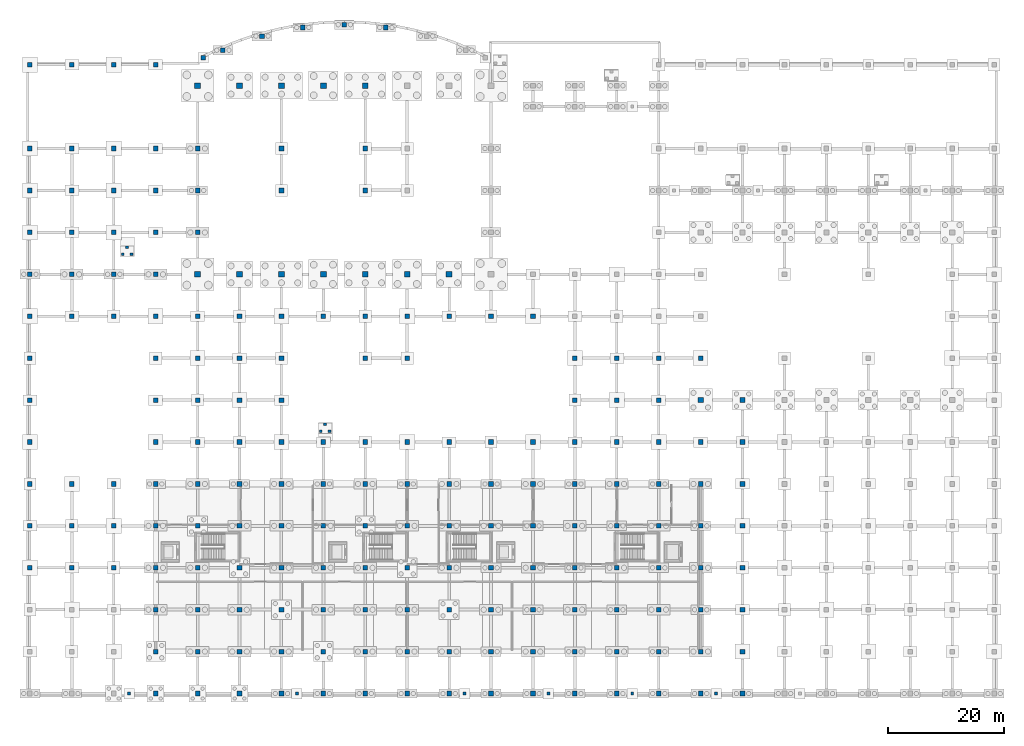
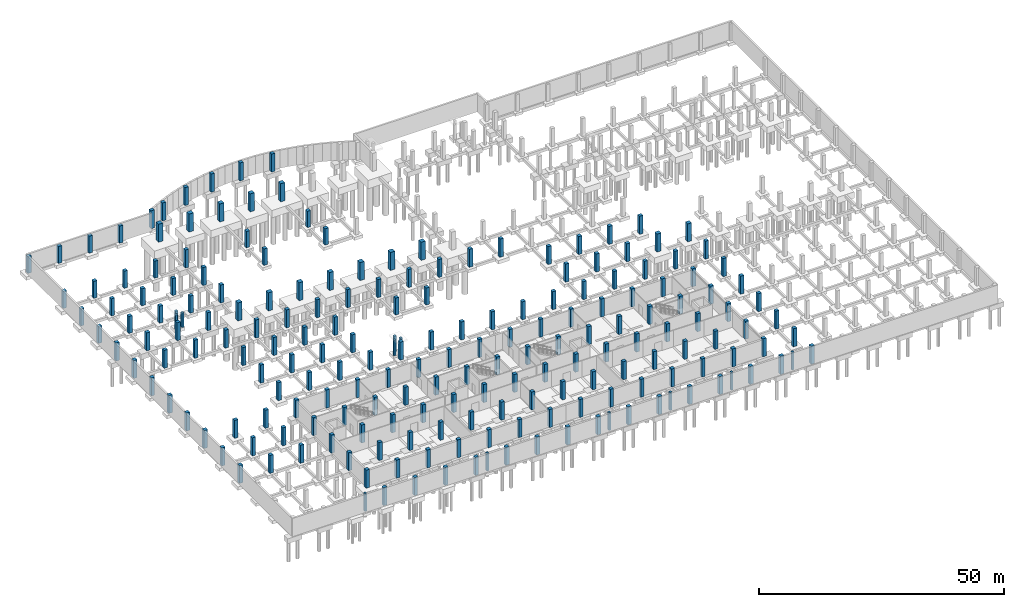
# One storey, part 15 of 22: 206 columns.
"""IFC4 building model written with IfcOpenShell, lengths in metres."""

from ifc_helpers import new_model, si_unit, direction, frame, origin, origin_2d, place, context, subcontext, project, spatial, rectangle, extrude, material, material_profile, profile_set, type_object, element, save


model = new_model("IFC4")

# Units and contexts
model_context = context("Model", 3, precision=1e-05, world=origin(), true_north=direction((0.0, 1.0)))
body_context = subcontext(model_context, "Body", "Model", "MODEL_VIEW")
ifc_project = project(units=[si_unit("LENGTHUNIT", "METRE"), si_unit("AREAUNIT", "SQUARE_METRE"), si_unit("VOLUMEUNIT", "CUBIC_METRE"), si_unit("PLANEANGLEUNIT", "RADIAN"), si_unit("MASSUNIT", "GRAM", prefix="KILO")], contexts=[model_context])

# Site, building, storey
site_placement = place(None, origin())
site = spatial("IfcSite", under=ifc_project, at=site_placement, CompositionType="ELEMENT")
building_placement = place(site_placement, origin())
building = spatial("IfcBuilding", under=site, at=building_placement, Name="Sardonyx Promenade Sports Hall", CompositionType="ELEMENT")
storey_placement = place(building_placement, frame((0.0, 0.0, -4.5)))
storey = spatial("IfcBuildingStorey", under=building, at=storey_placement, Name="B1", CompositionType="ELEMENT", Elevation=-4.5)

# Columns
ifc_material_1 = material(Name="Concrete C50/60", Category="concrete")
ifc_material_profile_1 = material_profile(ifc_material_1, rectangle(XDim=1.0, YDim=1.0, at=origin_2d()))
ifc_profile_set_1 = profile_set([ifc_material_profile_1], Name="Concrete C50/60")
column_type_1 = type_object("IfcColumnType", Name="Col_Int_RC1000", PredefinedType="COLUMN", material=ifc_profile_set_1)
for number, where, z_axis, x_axis, name in (
    (1, (28.800048828125, 72.0, 0.0), (0.0, 0.0, 1.0), (1.0, 0.0, 0.0), "Column CI05 B1 (28.8,72.0)"),
    (2, (28.800048828125, 104.39990234375, 0.0), (0.0, 0.0, 1.0), (1.0, 0.0, 0.0), "Column CI05 B1 (28.8,104.4)"),
    (3, (36.0, 72.0, 0.0), (0.0, 0.0, 1.0), (1.0, 0.0, 0.0), "Column CI05 B1 (36.0,72.0)"),
    (4, (36.0, 104.39990234375, 0.0), (0.0, 0.0, 1.0), (1.0, 0.0, 0.0), "Column CI05 B1 (36.0,104.4)"),
    (5, (43.199951171875, 72.0, 0.0), (0.0, 0.0, 1.0), (1.0, 0.0, 0.0), "Column CI05 B1 (43.2,72.0)"),
    (6, (43.199951171875, 104.39990234375, 0.0), (0.0, 0.0, 1.0), (1.0, 0.0, 0.0), "Column CI05 B1 (43.2,104.4)"),
    (7, (50.39990234375, 72.0, 0.0), (0.0, 0.0, 1.0), (1.0, 0.0, 0.0), "Column CI05 B1 (50.4,72.0)"),
    (8, (50.39990234375, 104.39990234375, 0.0), (0.0, 0.0, 1.0), (1.0, 0.0, 0.0), "Column CI05 B1 (50.4,104.4)"),
    (9, (57.60009765625, 72.0, 0.0), (0.0, 0.0, 1.0), (1.0, 0.0, 0.0), "Column CI05 B1 (57.6,72.0)"),
    (10, (57.60009765625, 104.39990234375, 0.0), (0.0, 0.0, 1.0), (1.0, 0.0, 0.0), "Column CI05 B1 (57.6,104.4)"),
    (11, (64.800048828125, 72.0, 0.0), (0.0, 0.0, 1.0), (1.0, 0.0, 0.0), "Column CI05 B1 (64.8,72.0)"),
    (12, (72.0, 72.0, 0.0), (0.0, 0.0, 1.0), (1.0, 0.0, 0.0), "Column CI05 B1 (72.0,72.0)"),
):
    element("IfcColumn", number, at=place(storey_placement, frame(where, z_axis=z_axis, x_axis=x_axis)), inside=storey, type_object=column_type_1, Name=name, PredefinedType="COLUMN", context=body_context, shape_type="SweptSolid", body=[
        extrude(rectangle(XDim=1.0, YDim=1.0, at=origin_2d()), origin(), (0.0, 0.0, 1.0), 4.5),
    ])
ifc_material_2 = material(Name="Concrete C40/50", Category="concrete")
ifc_material_profile_2 = material_profile(ifc_material_2, rectangle(XDim=0.5, YDim=0.5, at=origin_2d()))
ifc_profile_set_2 = profile_set([ifc_material_profile_2], Name="Concrete C40/50")
column_type_2 = type_object("IfcColumnType", Name="Col_Int_RC500", PredefinedType="COLUMN", material=ifc_profile_set_2)
for number, where, z_axis, x_axis, name in (
    (13, (17.050048828125, 0.0, 0.0), (0.0, 0.0, 1.0), (1.0, 0.0, 0.0), "Pilaster pier B1 #1"),
    (14, (45.85009765625, 0.0, 0.0), (0.0, 0.0, 1.0), (1.0, 0.0, 0.0), "Pilaster pier B1 #2"),
    (15, (74.64990234375, 0.0, 0.0), (0.0, 0.0, 1.0), (1.0, 0.0, 0.0), "Pilaster pier B1 #3"),
    (16, (89.050048828125, 0.0, 0.0), (0.0, 0.0, 1.0), (1.0, 0.0, 0.0), "Pilaster pier B1 #4"),
    (17, (103.449951171875, 0.0, 0.0), (0.0, 0.0, 1.0), (1.0, 0.0, 0.0), "Pilaster pier B1 #5"),
    (18, (117.85009765625, 0.0, 0.0), (0.0, 0.0, 1.0), (1.0, 0.0, 0.0), "Pilaster pier B1 #6"),
):
    element("IfcColumn", number, at=place(storey_placement, frame(where, z_axis=z_axis, x_axis=x_axis)), inside=storey, type_object=column_type_2, Name=name, PredefinedType="COLUMN", context=body_context, shape_type="SweptSolid", body=[
        extrude(rectangle(XDim=0.5, YDim=0.5, at=origin_2d()), origin(), (0.0, 0.0, 1.0), 4.5),
    ])
for number, where, z_axis, x_axis, name in (
    (19, (15.949951171875, 75.449951171875, 0.0), (0.0, 0.0, 1.0), (1.0, 0.0, 0.0), "Ramp landing substructure pier #3-1"),
    (20, (17.449951171875, 75.449951171875, 0.0), (0.0, 0.0, 1.0), (1.0, 0.0, 0.0), "Ramp landing substructure pier #3-2"),
    (21, (16.699951171875, 76.64990234375, 0.0), (0.0, 0.0, 1.0), (1.0, 0.0, 0.0), "Ramp landing substructure pier #3-3"),
):
    element("IfcColumn", number, at=place(storey_placement, frame(where, z_axis=z_axis, x_axis=x_axis)), inside=storey, type_object=column_type_2, Name=name, PredefinedType="COLUMN", context=body_context, shape_type="SweptSolid", body=[
        extrude(rectangle(XDim=0.5, YDim=0.5, at=origin_2d()), origin(), (0.0, 0.0, 1.0), 3.639892578125),
    ])
for number, where, z_axis, x_axis, name in (
    (22, (49.949951171875, 45.050048828125, 0.0), (0.0, 0.0, 1.0), (1.0, 0.0, 0.0), "Ramp landing substructure pier #6-1"),
    (23, (51.449951171875, 45.050048828125, 0.0), (0.0, 0.0, 1.0), (1.0, 0.0, 0.0), "Ramp landing substructure pier #6-2"),
    (24, (50.699951171875, 46.25, 0.0), (0.0, 0.0, 1.0), (1.0, 0.0, 0.0), "Ramp landing substructure pier #6-3"),
):
    element("IfcColumn", number, at=place(storey_placement, frame(where, z_axis=z_axis, x_axis=x_axis)), inside=storey, type_object=column_type_2, Name=name, PredefinedType="COLUMN", context=body_context, shape_type="SweptSolid", body=[
        extrude(rectangle(XDim=0.5, YDim=0.5, at=origin_2d()), origin(), (0.0, 0.0, 1.0), 3.909912109375),
    ])
ifc_material_3 = material(Name="Concrete C50/60", Category="concrete")
ifc_material_profile_3 = material_profile(ifc_material_3, rectangle(XDim=0.800048828125, YDim=0.800048828125, at=origin_2d()))
ifc_profile_set_3 = profile_set([ifc_material_profile_3], Name="Concrete C50/60")
column_type_3 = type_object("IfcColumnType", Name="Col_Int_RC800", PredefinedType="COLUMN", material=ifc_profile_set_3)
for number, where, z_axis, x_axis, name in (
    (25, (0.0, 21.60009765625, 0.0), (0.0, 0.0, 1.0), (1.0, 0.0, 0.0), "Column CI01 B1 (0.0,21.6)"),
    (26, (0.0, 28.800048828125, 0.0), (0.0, 0.0, 1.0), (1.0, 0.0, 0.0), "Column CI01 B1 (0.0,28.8)"),
    (27, (0.0, 36.0, 0.0), (0.0, 0.0, 1.0), (1.0, 0.0, 0.0), "Column CI01 B1 (0.0,36.0)"),
    (28, (0.0, 43.199951171875, 0.0), (0.0, 0.0, 1.0), (1.0, 0.0, 0.0), "Column CI01 B1 (0.0,43.2)"),
    (29, (0.0, 50.39990234375, 0.0), (0.0, 0.0, 1.0), (1.0, 0.0, 0.0), "Column CI01 B1 (0.0,50.4)"),
    (30, (0.0, 57.60009765625, 0.0), (0.0, 0.0, 1.0), (1.0, 0.0, 0.0), "Column CI01 B1 (0.0,57.6)"),
    (31, (0.0, 64.800048828125, 0.0), (0.0, 0.0, 1.0), (1.0, 0.0, 0.0), "Column CI01 B1 (0.0,64.8)"),
    (32, (0.0, 72.0, 0.0), (0.0, 0.0, 1.0), (1.0, 0.0, 0.0), "Column CI01 B1 (0.0,72.0)"),
):
    element("IfcColumn", number, at=place(storey_placement, frame(where, z_axis=z_axis, x_axis=x_axis)), inside=storey, type_object=column_type_3, Name=name, PredefinedType="COLUMN", context=body_context, shape_type="SweptSolid", body=[
        extrude(rectangle(XDim=0.800048828125, YDim=0.800048828125, at=origin_2d()), origin(), (0.0, 0.0, 1.0), 4.5),
    ])
for number, where, z_axis, x_axis, name in (
    (33, (0.0, 79.199951171875, 0.0), (0.0, 0.0, 1.0), (1.0, 0.0, 0.0), "Column CI01 B1 (0.0,79.2)"),
    (34, (0.0, 86.39990234375, 0.0), (0.0, 0.0, 1.0), (1.0, 0.0, 0.0), "Column CI01 B1 (0.0,86.4)"),
    (35, (0.0, 93.60009765625, 0.0), (0.0, 0.0, 1.0), (1.0, 0.0, 0.0), "Column CI01 B1 (0.0,93.6)"),
    (36, (0.0, 108.0, 0.0), (0.0, 0.0, 1.0), (1.0, 0.0, 0.0), "Column CI01 B1 (0.0,108.0)"),
):
    element("IfcColumn", number, at=place(storey_placement, frame(where, z_axis=z_axis, x_axis=x_axis)), inside=storey, type_object=column_type_3, Name=name, PredefinedType="COLUMN", context=body_context, shape_type="SweptSolid", body=[
        extrude(rectangle(XDim=0.800048828125, YDim=0.800048828125, at=origin_2d()), origin(), (0.0, 0.0, 1.0), 4.25),
    ])
for number, where, z_axis, x_axis, name in (
    (37, (7.199951171875, 21.60009765625, 0.0), (0.0, 0.0, 1.0), (1.0, 0.0, 0.0), "Column CI01 B1 (7.2,21.6)"),
    (38, (7.199951171875, 28.800048828125, 0.0), (0.0, 0.0, 1.0), (1.0, 0.0, 0.0), "Column CI01 B1 (7.2,28.8)"),
    (39, (7.199951171875, 36.0, 0.0), (0.0, 0.0, 1.0), (1.0, 0.0, 0.0), "Column CI01 B1 (7.2,36.0)"),
    (40, (7.199951171875, 64.800048828125, 0.0), (0.0, 0.0, 1.0), (1.0, 0.0, 0.0), "Column CI01 B1 (7.2,64.8)"),
    (41, (7.199951171875, 72.0, 0.0), (0.0, 0.0, 1.0), (1.0, 0.0, 0.0), "Column CI01 B1 (7.2,72.0)"),
):
    element("IfcColumn", number, at=place(storey_placement, frame(where, z_axis=z_axis, x_axis=x_axis)), inside=storey, type_object=column_type_3, Name=name, PredefinedType="COLUMN", context=body_context, shape_type="SweptSolid", body=[
        extrude(rectangle(XDim=0.800048828125, YDim=0.800048828125, at=origin_2d()), origin(), (0.0, 0.0, 1.0), 4.5),
    ])
for number, where, z_axis, x_axis, name in (
    (42, (7.199951171875, 79.199951171875, 0.0), (0.0, 0.0, 1.0), (1.0, 0.0, 0.0), "Column CI01 B1 (7.2,79.2)"),
    (43, (7.199951171875, 86.39990234375, 0.0), (0.0, 0.0, 1.0), (1.0, 0.0, 0.0), "Column CI01 B1 (7.2,86.4)"),
    (44, (7.199951171875, 93.60009765625, 0.0), (0.0, 0.0, 1.0), (1.0, 0.0, 0.0), "Column CI01 B1 (7.2,93.6)"),
    (45, (7.199951171875, 108.0, 0.0), (0.0, 0.0, 1.0), (1.0, 0.0, 0.0), "Column CI01 B1 (7.2,108.0)"),
):
    element("IfcColumn", number, at=place(storey_placement, frame(where, z_axis=z_axis, x_axis=x_axis)), inside=storey, type_object=column_type_3, Name=name, PredefinedType="COLUMN", context=body_context, shape_type="SweptSolid", body=[
        extrude(rectangle(XDim=0.800048828125, YDim=0.800048828125, at=origin_2d()), origin(), (0.0, 0.0, 1.0), 4.25),
    ])
for number, where, z_axis, x_axis, name in (
    (46, (14.39990234375, 21.60009765625, 0.0), (0.0, 0.0, 1.0), (1.0, 0.0, 0.0), "Column CI01 B1 (14.4,21.6)"),
    (47, (14.39990234375, 28.800048828125, 0.0), (0.0, 0.0, 1.0), (1.0, 0.0, 0.0), "Column CI01 B1 (14.4,28.8)"),
    (48, (14.39990234375, 36.0, 0.0), (0.0, 0.0, 1.0), (1.0, 0.0, 0.0), "Column CI01 B1 (14.4,36.0)"),
    (49, (14.39990234375, 64.800048828125, 0.0), (0.0, 0.0, 1.0), (1.0, 0.0, 0.0), "Column CI01 B1 (14.4,64.8)"),
    (50, (14.39990234375, 72.0, 0.0), (0.0, 0.0, 1.0), (1.0, 0.0, 0.0), "Column CI01 B1 (14.4,72.0)"),
):
    element("IfcColumn", number, at=place(storey_placement, frame(where, z_axis=z_axis, x_axis=x_axis)), inside=storey, type_object=column_type_3, Name=name, PredefinedType="COLUMN", context=body_context, shape_type="SweptSolid", body=[
        extrude(rectangle(XDim=0.800048828125, YDim=0.800048828125, at=origin_2d()), origin(), (0.0, 0.0, 1.0), 4.5),
    ])
for number, where, z_axis, x_axis, name in (
    (51, (14.39990234375, 79.199951171875, 0.0), (0.0, 0.0, 1.0), (1.0, 0.0, 0.0), "Column CI01 B1 (14.4,79.2)"),
    (52, (14.39990234375, 86.39990234375, 0.0), (0.0, 0.0, 1.0), (1.0, 0.0, 0.0), "Column CI01 B1 (14.4,86.4)"),
    (53, (14.39990234375, 93.60009765625, 0.0), (0.0, 0.0, 1.0), (1.0, 0.0, 0.0), "Column CI01 B1 (14.4,93.6)"),
    (54, (14.39990234375, 108.0, 0.0), (0.0, 0.0, 1.0), (1.0, 0.0, 0.0), "Column CI01 B1 (14.4,108.0)"),
):
    element("IfcColumn", number, at=place(storey_placement, frame(where, z_axis=z_axis, x_axis=x_axis)), inside=storey, type_object=column_type_3, Name=name, PredefinedType="COLUMN", context=body_context, shape_type="SweptSolid", body=[
        extrude(rectangle(XDim=0.800048828125, YDim=0.800048828125, at=origin_2d()), origin(), (0.0, 0.0, 1.0), 4.25),
    ])
for number, where, z_axis, x_axis, name in (
    (55, (21.60009765625, 0.0, 0.0), (0.0, 0.0, 1.0), (1.0, 0.0, 0.0), "Column CI01 B1 (21.6,0.0)"),
    (56, (21.60009765625, 7.199951171875, 0.0), (0.0, 0.0, 1.0), (1.0, 0.0, 0.0), "Column CI01 B1 (21.6,7.2)"),
    (57, (21.60009765625, 14.39990234375, 0.0), (0.0, 0.0, 1.0), (1.0, 0.0, 0.0), "Column CI01 B1 (21.6,14.4)"),
    (58, (21.60009765625, 21.60009765625, 0.0), (0.0, 0.0, 1.0), (1.0, 0.0, 0.0), "Column CI01 B1 (21.6,21.6)"),
    (59, (21.60009765625, 28.800048828125, 0.0), (0.0, 0.0, 1.0), (1.0, 0.0, 0.0), "Column CI01 B1 (21.6,28.8)"),
    (60, (21.60009765625, 36.0, 0.0), (0.0, 0.0, 1.0), (1.0, 0.0, 0.0), "Column CI01 B1 (21.6,36.0)"),
    (61, (21.60009765625, 43.199951171875, 0.0), (0.0, 0.0, 1.0), (1.0, 0.0, 0.0), "Column CI01 B1 (21.6,43.2)"),
    (62, (21.60009765625, 50.39990234375, 0.0), (0.0, 0.0, 1.0), (1.0, 0.0, 0.0), "Column CI01 B1 (21.6,50.4)"),
    (63, (21.60009765625, 57.60009765625, 0.0), (0.0, 0.0, 1.0), (1.0, 0.0, 0.0), "Column CI01 B1 (21.6,57.6)"),
    (64, (21.60009765625, 64.800048828125, 0.0), (0.0, 0.0, 1.0), (1.0, 0.0, 0.0), "Column CI01 B1 (21.6,64.8)"),
    (65, (21.60009765625, 72.0, 0.0), (0.0, 0.0, 1.0), (1.0, 0.0, 0.0), "Column CI01 B1 (21.6,72.0)"),
):
    element("IfcColumn", number, at=place(storey_placement, frame(where, z_axis=z_axis, x_axis=x_axis)), inside=storey, type_object=column_type_3, Name=name, PredefinedType="COLUMN", context=body_context, shape_type="SweptSolid", body=[
        extrude(rectangle(XDim=0.800048828125, YDim=0.800048828125, at=origin_2d()), origin(), (0.0, 0.0, 1.0), 4.5),
    ])
for number, where, z_axis, x_axis, name in (
    (66, (21.60009765625, 79.199951171875, 0.0), (0.0, 0.0, 1.0), (1.0, 0.0, 0.0), "Column CI01 B1 (21.6,79.2)"),
    (67, (21.60009765625, 86.39990234375, 0.0), (0.0, 0.0, 1.0), (1.0, 0.0, 0.0), "Column CI01 B1 (21.6,86.4)"),
    (68, (21.60009765625, 93.60009765625, 0.0), (0.0, 0.0, 1.0), (1.0, 0.0, 0.0), "Column CI01 B1 (21.6,93.6)"),
    (69, (21.60009765625, 108.0, 0.0), (0.0, 0.0, 1.0), (1.0, 0.0, 0.0), "Column CI01 B1 (21.6,108.0)"),
):
    element("IfcColumn", number, at=place(storey_placement, frame(where, z_axis=z_axis, x_axis=x_axis)), inside=storey, type_object=column_type_3, Name=name, PredefinedType="COLUMN", context=body_context, shape_type="SweptSolid", body=[
        extrude(rectangle(XDim=0.800048828125, YDim=0.800048828125, at=origin_2d()), origin(), (0.0, 0.0, 1.0), 4.25),
    ])
for number, where, z_axis, x_axis, name in (
    (70, (28.800048828125, 0.0, 0.0), (0.0, 0.0, 1.0), (1.0, 0.0, 0.0), "Column CI01 B1 (28.8,0.0)"),
    (71, (28.800048828125, 7.199951171875, 0.0), (0.0, 0.0, 1.0), (1.0, 0.0, 0.0), "Column CI01 B1 (28.8,7.2)"),
    (72, (28.800048828125, 14.39990234375, 0.0), (0.0, 0.0, 1.0), (1.0, 0.0, 0.0), "Column CI01 B1 (28.8,14.4)"),
    (73, (28.800048828125, 21.60009765625, 0.0), (0.0, 0.0, 1.0), (1.0, 0.0, 0.0), "Column CI01 B1 (28.8,21.6)"),
    (74, (28.800048828125, 28.800048828125, 0.0), (0.0, 0.0, 1.0), (1.0, 0.0, 0.0), "Column CI01 B1 (28.8,28.8)"),
    (75, (28.800048828125, 36.0, 0.0), (0.0, 0.0, 1.0), (1.0, 0.0, 0.0), "Column CI01 B1 (28.8,36.0)"),
    (76, (28.800048828125, 43.199951171875, 0.0), (0.0, 0.0, 1.0), (1.0, 0.0, 0.0), "Column CI01 B1 (28.8,43.2)"),
    (77, (28.800048828125, 50.39990234375, 0.0), (0.0, 0.0, 1.0), (1.0, 0.0, 0.0), "Column CI01 B1 (28.8,50.4)"),
    (78, (28.800048828125, 57.60009765625, 0.0), (0.0, 0.0, 1.0), (1.0, 0.0, 0.0), "Column CI01 B1 (28.8,57.6)"),
    (79, (28.800048828125, 64.800048828125, 0.0), (0.0, 0.0, 1.0), (1.0, 0.0, 0.0), "Column CI01 B1 (28.8,64.8)"),
    (80, (28.800048828125, 79.199951171875, 0.0), (0.0, 0.0, 1.0), (1.0, 0.0, 0.0), "Column CI01 B1 (28.8,79.2)"),
    (81, (28.800048828125, 86.39990234375, 0.0), (0.0, 0.0, 1.0), (1.0, 0.0, 0.0), "Column CI01 B1 (28.8,86.4)"),
    (82, (28.800048828125, 93.60009765625, 0.0), (0.0, 0.0, 1.0), (1.0, 0.0, 0.0), "Column CI01 B1 (28.8,93.6)"),
    (83, (29.773681640625, 109.2119140625, 0.0), (0.0, 0.0, 1.0), (1.0, 0.0, 0.0), "Column CI01 B1 (29.8,109.2)"),
    (84, (33.14404296875, 110.48486328125, 0.0), (0.0, 0.0, 1.0), (1.0, 0.0, 0.0), "Column CI01 B1 (33.1,110.5)"),
    (85, (36.0, 0.0, 0.0), (0.0, 0.0, 1.0), (1.0, 0.0, 0.0), "Column CI01 B1 (36.0,0.0)"),
    (86, (36.0, 7.199951171875, 0.0), (0.0, 0.0, 1.0), (1.0, 0.0, 0.0), "Column CI01 B1 (36.0,7.2)"),
    (87, (36.0, 14.39990234375, 0.0), (0.0, 0.0, 1.0), (1.0, 0.0, 0.0), "Column CI01 B1 (36.0,14.4)"),
    (88, (36.0, 21.60009765625, 0.0), (0.0, 0.0, 1.0), (1.0, 0.0, 0.0), "Column CI01 B1 (36.0,21.6)"),
    (89, (36.0, 28.800048828125, 0.0), (0.0, 0.0, 1.0), (1.0, 0.0, 0.0), "Column CI01 B1 (36.0,28.8)"),
    (90, (36.0, 36.0, 0.0), (0.0, 0.0, 1.0), (1.0, 0.0, 0.0), "Column CI01 B1 (36.0,36.0)"),
    (91, (36.0, 43.199951171875, 0.0), (0.0, 0.0, 1.0), (1.0, 0.0, 0.0), "Column CI01 B1 (36.0,43.2)"),
    (92, (36.0, 50.39990234375, 0.0), (0.0, 0.0, 1.0), (1.0, 0.0, 0.0), "Column CI01 B1 (36.0,50.4)"),
    (93, (36.0, 57.60009765625, 0.0), (0.0, 0.0, 1.0), (1.0, 0.0, 0.0), "Column CI01 B1 (36.0,57.6)"),
    (94, (36.0, 64.800048828125, 0.0), (0.0, 0.0, 1.0), (1.0, 0.0, 0.0), "Column CI01 B1 (36.0,64.8)"),
    (95, (39.8701171875, 112.910888671875, 0.0), (0.0, 0.0, 1.0), (1.0, 0.0, 0.0), "Column CI01 B1 (39.9,112.9)"),
    (96, (43.199951171875, 0.0, 0.0), (0.0, 0.0, 1.0), (1.0, 0.0, 0.0), "Column CI01 B1 (43.2,0.0)"),
    (97, (43.199951171875, 7.199951171875, 0.0), (0.0, 0.0, 1.0), (1.0, 0.0, 0.0), "Column CI01 B1 (43.2,7.2)"),
    (98, (43.199951171875, 14.39990234375, 0.0), (0.0, 0.0, 1.0), (1.0, 0.0, 0.0), "Column CI01 B1 (43.2,14.4)"),
    (99, (43.199951171875, 21.60009765625, 0.0), (0.0, 0.0, 1.0), (1.0, 0.0, 0.0), "Column CI01 B1 (43.2,21.6)"),
    (100, (43.199951171875, 28.800048828125, 0.0), (0.0, 0.0, 1.0), (1.0, 0.0, 0.0), "Column CI01 B1 (43.2,28.8)"),
    (101, (43.199951171875, 36.0, 0.0), (0.0, 0.0, 1.0), (1.0, 0.0, 0.0), "Column CI01 B1 (43.2,36.0)"),
    (102, (43.199951171875, 43.199951171875, 0.0), (0.0, 0.0, 1.0), (1.0, 0.0, 0.0), "Column CI01 B1 (43.2,43.2)"),
    (103, (43.199951171875, 50.39990234375, 0.0), (0.0, 0.0, 1.0), (1.0, 0.0, 0.0), "Column CI01 B1 (43.2,50.4)"),
    (104, (43.199951171875, 57.60009765625, 0.0), (0.0, 0.0, 1.0), (1.0, 0.0, 0.0), "Column CI01 B1 (43.2,57.6)"),
    (105, (43.199951171875, 64.800048828125, 0.0), (0.0, 0.0, 1.0), (1.0, 0.0, 0.0), "Column CI01 B1 (43.2,64.8)"),
):
    element("IfcColumn", number, at=place(storey_placement, frame(where, z_axis=z_axis, x_axis=x_axis)), inside=storey, type_object=column_type_3, Name=name, PredefinedType="COLUMN", context=body_context, shape_type="SweptSolid", body=[
        extrude(rectangle(XDim=0.800048828125, YDim=0.800048828125, at=origin_2d()), origin(), (0.0, 0.0, 1.0), 4.5),
    ])
for number, where, z_axis, x_axis, name in (
    (106, (43.199951171875, 86.39990234375, 0.0), (0.0, 0.0, 1.0), (1.0, 0.0, 0.0), "Column CI01 B1 (43.2,86.4)"),
    (107, (43.199951171875, 93.60009765625, 0.0), (0.0, 0.0, 1.0), (1.0, 0.0, 0.0), "Column CI01 B1 (43.2,93.6)"),
):
    element("IfcColumn", number, at=place(storey_placement, frame(where, z_axis=z_axis, x_axis=x_axis)), inside=storey, type_object=column_type_3, Name=name, PredefinedType="COLUMN", context=body_context, shape_type="SweptSolid", body=[
        extrude(rectangle(XDim=0.800048828125, YDim=0.800048828125, at=origin_2d()), origin(), (0.0, 0.0, 1.0), 4.090087890625),
    ])
for number, where, z_axis, x_axis, name in (
    (108, (46.86669921875, 114.38525390625, 0.0), (0.0, 0.0, 1.0), (1.0, 0.0, 0.0), "Column CI01 B1 (46.9,114.4)"),
    (109, (50.39990234375, 0.0, 0.0), (0.0, 0.0, 1.0), (1.0, 0.0, 0.0), "Column CI01 B1 (50.4,0.0)"),
    (110, (50.39990234375, 7.199951171875, 0.0), (0.0, 0.0, 1.0), (1.0, 0.0, 0.0), "Column CI01 B1 (50.4,7.2)"),
    (111, (50.39990234375, 14.39990234375, 0.0), (0.0, 0.0, 1.0), (1.0, 0.0, 0.0), "Column CI01 B1 (50.4,14.4)"),
    (112, (50.39990234375, 21.60009765625, 0.0), (0.0, 0.0, 1.0), (1.0, 0.0, 0.0), "Column CI01 B1 (50.4,21.6)"),
    (113, (50.39990234375, 28.800048828125, 0.0), (0.0, 0.0, 1.0), (1.0, 0.0, 0.0), "Column CI01 B1 (50.4,28.8)"),
    (114, (50.39990234375, 36.0, 0.0), (0.0, 0.0, 1.0), (1.0, 0.0, 0.0), "Column CI01 B1 (50.4,36.0)"),
    (115, (50.39990234375, 43.199951171875, 0.0), (0.0, 0.0, 1.0), (1.0, 0.0, 0.0), "Column CI01 B1 (50.4,43.2)"),
    (116, (50.39990234375, 64.800048828125, 0.0), (0.0, 0.0, 1.0), (1.0, 0.0, 0.0), "Column CI01 B1 (50.4,64.8)"),
    (117, (54.0, 114.8798828125, 0.0), (0.0, 0.0, 1.0), (1.0, 0.0, 0.0), "Column CI01 B1 (54.0,114.9)"),
    (118, (57.60009765625, 0.0, 0.0), (0.0, 0.0, 1.0), (1.0, 0.0, 0.0), "Column CI01 B1 (57.6,0.0)"),
    (119, (57.60009765625, 7.199951171875, 0.0), (0.0, 0.0, 1.0), (1.0, 0.0, 0.0), "Column CI01 B1 (57.6,7.2)"),
    (120, (57.60009765625, 14.39990234375, 0.0), (0.0, 0.0, 1.0), (1.0, 0.0, 0.0), "Column CI01 B1 (57.6,14.4)"),
    (121, (57.60009765625, 21.60009765625, 0.0), (0.0, 0.0, 1.0), (1.0, 0.0, 0.0), "Column CI01 B1 (57.6,21.6)"),
    (122, (57.60009765625, 28.800048828125, 0.0), (0.0, 0.0, 1.0), (1.0, 0.0, 0.0), "Column CI01 B1 (57.6,28.8)"),
    (123, (57.60009765625, 36.0, 0.0), (0.0, 0.0, 1.0), (1.0, 0.0, 0.0), "Column CI01 B1 (57.6,36.0)"),
    (124, (57.60009765625, 43.199951171875, 0.0), (0.0, 0.0, 1.0), (1.0, 0.0, 0.0), "Column CI01 B1 (57.6,43.2)"),
):
    element("IfcColumn", number, at=place(storey_placement, frame(where, z_axis=z_axis, x_axis=x_axis)), inside=storey, type_object=column_type_3, Name=name, PredefinedType="COLUMN", context=body_context, shape_type="SweptSolid", body=[
        extrude(rectangle(XDim=0.800048828125, YDim=0.800048828125, at=origin_2d()), origin(), (0.0, 0.0, 1.0), 4.5),
    ])
column_1_placement = place(storey_placement, frame((57.60009765625, 57.60009765625, 0.0), z_axis=(0.0, 0.0, 1.0), x_axis=(1.0, 0.0, 0.0)))
element("IfcColumn", 125, at=column_1_placement, inside=storey, type_object=column_type_3, Name="Column CI01 B1 (57.6,57.6)", PredefinedType="COLUMN", context=body_context, shape_type="SweptSolid", body=[
    extrude(rectangle(XDim=0.800048828125, YDim=0.800048828125, at=origin_2d()), origin(), (0.0, 0.0, 1.0), 4.25),
])
column_2_placement = place(storey_placement, frame((57.60009765625, 64.800048828125, 0.0), z_axis=(0.0, 0.0, 1.0), x_axis=(1.0, 0.0, 0.0)))
element("IfcColumn", 126, at=column_2_placement, inside=storey, type_object=column_type_3, Name="Column CI01 B1 (57.6,64.8)", PredefinedType="COLUMN", context=body_context, shape_type="SweptSolid", body=[
    extrude(rectangle(XDim=0.800048828125, YDim=0.800048828125, at=origin_2d()), origin(), (0.0, 0.0, 1.0), 4.5),
])
for number, where, z_axis, x_axis, name in (
    (127, (57.60009765625, 86.39990234375, 0.0), (0.0, 0.0, 1.0), (1.0, 0.0, 0.0), "Column CI01 B1 (57.6,86.4)"),
    (128, (57.60009765625, 93.60009765625, 0.0), (0.0, 0.0, 1.0), (1.0, 0.0, 0.0), "Column CI01 B1 (57.6,93.6)"),
):
    element("IfcColumn", number, at=place(storey_placement, frame(where, z_axis=z_axis, x_axis=x_axis)), inside=storey, type_object=column_type_3, Name=name, PredefinedType="COLUMN", context=body_context, shape_type="SweptSolid", body=[
        extrude(rectangle(XDim=0.800048828125, YDim=0.800048828125, at=origin_2d()), origin(), (0.0, 0.0, 1.0), 4.090087890625),
    ])
for number, where, z_axis, x_axis, name in (
    (129, (61.13330078125, 114.38525390625, 0.0), (0.0, 0.0, 1.0), (1.0, 0.0, 0.0), "Column CI01 B1 (61.1,114.4)"),
    (130, (64.800048828125, 0.0, 0.0), (0.0, 0.0, 1.0), (1.0, 0.0, 0.0), "Column CI01 B1 (64.8,0.0)"),
    (131, (64.800048828125, 7.199951171875, 0.0), (0.0, 0.0, 1.0), (1.0, 0.0, 0.0), "Column CI01 B1 (64.8,7.2)"),
    (132, (64.800048828125, 14.39990234375, 0.0), (0.0, 0.0, 1.0), (1.0, 0.0, 0.0), "Column CI01 B1 (64.8,14.4)"),
    (133, (64.800048828125, 21.60009765625, 0.0), (0.0, 0.0, 1.0), (1.0, 0.0, 0.0), "Column CI01 B1 (64.8,21.6)"),
    (134, (64.800048828125, 28.800048828125, 0.0), (0.0, 0.0, 1.0), (1.0, 0.0, 0.0), "Column CI01 B1 (64.8,28.8)"),
    (135, (64.800048828125, 36.0, 0.0), (0.0, 0.0, 1.0), (1.0, 0.0, 0.0), "Column CI01 B1 (64.8,36.0)"),
    (136, (64.800048828125, 43.199951171875, 0.0), (0.0, 0.0, 1.0), (1.0, 0.0, 0.0), "Column CI01 B1 (64.8,43.2)"),
):
    element("IfcColumn", number, at=place(storey_placement, frame(where, z_axis=z_axis, x_axis=x_axis)), inside=storey, type_object=column_type_3, Name=name, PredefinedType="COLUMN", context=body_context, shape_type="SweptSolid", body=[
        extrude(rectangle(XDim=0.800048828125, YDim=0.800048828125, at=origin_2d()), origin(), (0.0, 0.0, 1.0), 4.5),
    ])
column_3_placement = place(storey_placement, frame((64.800048828125, 57.60009765625, 0.0), z_axis=(0.0, 0.0, 1.0), x_axis=(1.0, 0.0, 0.0)))
element("IfcColumn", 137, at=column_3_placement, inside=storey, type_object=column_type_3, Name="Column CI01 B1 (64.8,57.6)", PredefinedType="COLUMN", context=body_context, shape_type="SweptSolid", body=[
    extrude(rectangle(XDim=0.800048828125, YDim=0.800048828125, at=origin_2d()), origin(), (0.0, 0.0, 1.0), 4.25),
])
for number, where, z_axis, x_axis, name in (
    (138, (64.800048828125, 64.800048828125, 0.0), (0.0, 0.0, 1.0), (1.0, 0.0, 0.0), "Column CI01 B1 (64.8,64.8)"),
    (139, (72.0, 0.0, 0.0), (0.0, 0.0, 1.0), (1.0, 0.0, 0.0), "Column CI01 B1 (72.0,0.0)"),
    (140, (72.0, 7.199951171875, 0.0), (0.0, 0.0, 1.0), (1.0, 0.0, 0.0), "Column CI01 B1 (72.0,7.2)"),
    (141, (72.0, 14.39990234375, 0.0), (0.0, 0.0, 1.0), (1.0, 0.0, 0.0), "Column CI01 B1 (72.0,14.4)"),
    (142, (72.0, 21.60009765625, 0.0), (0.0, 0.0, 1.0), (1.0, 0.0, 0.0), "Column CI01 B1 (72.0,21.6)"),
    (143, (72.0, 28.800048828125, 0.0), (0.0, 0.0, 1.0), (1.0, 0.0, 0.0), "Column CI01 B1 (72.0,28.8)"),
    (144, (72.0, 36.0, 0.0), (0.0, 0.0, 1.0), (1.0, 0.0, 0.0), "Column CI01 B1 (72.0,36.0)"),
    (145, (72.0, 43.199951171875, 0.0), (0.0, 0.0, 1.0), (1.0, 0.0, 0.0), "Column CI01 B1 (72.0,43.2)"),
    (146, (72.0, 64.800048828125, 0.0), (0.0, 0.0, 1.0), (1.0, 0.0, 0.0), "Column CI01 B1 (72.0,64.8)"),
    (147, (79.199951171875, 0.0, 0.0), (0.0, 0.0, 1.0), (1.0, 0.0, 0.0), "Column CI01 B1 (79.2,0.0)"),
    (148, (79.199951171875, 7.199951171875, 0.0), (0.0, 0.0, 1.0), (1.0, 0.0, 0.0), "Column CI01 B1 (79.2,7.2)"),
    (149, (79.199951171875, 14.39990234375, 0.0), (0.0, 0.0, 1.0), (1.0, 0.0, 0.0), "Column CI01 B1 (79.2,14.4)"),
    (150, (79.199951171875, 21.60009765625, 0.0), (0.0, 0.0, 1.0), (1.0, 0.0, 0.0), "Column CI01 B1 (79.2,21.6)"),
    (151, (79.199951171875, 28.800048828125, 0.0), (0.0, 0.0, 1.0), (1.0, 0.0, 0.0), "Column CI01 B1 (79.2,28.8)"),
    (152, (79.199951171875, 36.0, 0.0), (0.0, 0.0, 1.0), (1.0, 0.0, 0.0), "Column CI01 B1 (79.2,36.0)"),
    (153, (79.199951171875, 43.199951171875, 0.0), (0.0, 0.0, 1.0), (1.0, 0.0, 0.0), "Column CI01 B1 (79.2,43.2)"),
    (154, (79.199951171875, 64.800048828125, 0.0), (0.0, 0.0, 1.0), (1.0, 0.0, 0.0), "Column CI01 B1 (79.2,64.8)"),
    (155, (86.39990234375, 0.0, 0.0), (0.0, 0.0, 1.0), (1.0, 0.0, 0.0), "Column CI01 B1 (86.4,0.0)"),
    (156, (86.39990234375, 7.199951171875, 0.0), (0.0, 0.0, 1.0), (1.0, 0.0, 0.0), "Column CI01 B1 (86.4,7.2)"),
    (157, (86.39990234375, 14.39990234375, 0.0), (0.0, 0.0, 1.0), (1.0, 0.0, 0.0), "Column CI01 B1 (86.4,14.4)"),
    (158, (86.39990234375, 21.60009765625, 0.0), (0.0, 0.0, 1.0), (1.0, 0.0, 0.0), "Column CI01 B1 (86.4,21.6)"),
    (159, (86.39990234375, 28.800048828125, 0.0), (0.0, 0.0, 1.0), (1.0, 0.0, 0.0), "Column CI01 B1 (86.4,28.8)"),
    (160, (86.39990234375, 36.0, 0.0), (0.0, 0.0, 1.0), (1.0, 0.0, 0.0), "Column CI01 B1 (86.4,36.0)"),
    (161, (86.39990234375, 43.199951171875, 0.0), (0.0, 0.0, 1.0), (1.0, 0.0, 0.0), "Column CI01 B1 (86.4,43.2)"),
    (162, (86.39990234375, 64.800048828125, 0.0), (0.0, 0.0, 1.0), (1.0, 0.0, 0.0), "Column CI01 B1 (86.4,64.8)"),
    (163, (93.60009765625, 0.0, 0.0), (0.0, 0.0, 1.0), (1.0, 0.0, 0.0), "Column CI01 B1 (93.6,0.0)"),
    (164, (93.60009765625, 7.199951171875, 0.0), (0.0, 0.0, 1.0), (1.0, 0.0, 0.0), "Column CI01 B1 (93.6,7.2)"),
    (165, (93.60009765625, 14.39990234375, 0.0), (0.0, 0.0, 1.0), (1.0, 0.0, 0.0), "Column CI01 B1 (93.6,14.4)"),
    (166, (93.60009765625, 21.60009765625, 0.0), (0.0, 0.0, 1.0), (1.0, 0.0, 0.0), "Column CI01 B1 (93.6,21.6)"),
    (167, (93.60009765625, 28.800048828125, 0.0), (0.0, 0.0, 1.0), (1.0, 0.0, 0.0), "Column CI01 B1 (93.6,28.8)"),
    (168, (93.60009765625, 36.0, 0.0), (0.0, 0.0, 1.0), (1.0, 0.0, 0.0), "Column CI01 B1 (93.6,36.0)"),
    (169, (93.60009765625, 43.199951171875, 0.0), (0.0, 0.0, 1.0), (1.0, 0.0, 0.0), "Column CI01 B1 (93.6,43.2)"),
    (170, (93.60009765625, 50.39990234375, 0.0), (0.0, 0.0, 1.0), (1.0, 0.0, 0.0), "Column CI01 B1 (93.6,50.4)"),
    (171, (93.60009765625, 57.60009765625, 0.0), (0.0, 0.0, 1.0), (1.0, 0.0, 0.0), "Column CI01 B1 (93.6,57.6)"),
    (172, (100.800048828125, 0.0, 0.0), (0.0, 0.0, 1.0), (1.0, 0.0, 0.0), "Column CI01 B1 (100.8,0.0)"),
    (173, (100.800048828125, 7.199951171875, 0.0), (0.0, 0.0, 1.0), (1.0, 0.0, 0.0), "Column CI01 B1 (100.8,7.2)"),
    (174, (100.800048828125, 14.39990234375, 0.0), (0.0, 0.0, 1.0), (1.0, 0.0, 0.0), "Column CI01 B1 (100.8,14.4)"),
    (175, (100.800048828125, 21.60009765625, 0.0), (0.0, 0.0, 1.0), (1.0, 0.0, 0.0), "Column CI01 B1 (100.8,21.6)"),
    (176, (100.800048828125, 28.800048828125, 0.0), (0.0, 0.0, 1.0), (1.0, 0.0, 0.0), "Column CI01 B1 (100.8,28.8)"),
    (177, (100.800048828125, 36.0, 0.0), (0.0, 0.0, 1.0), (1.0, 0.0, 0.0), "Column CI01 B1 (100.8,36.0)"),
    (178, (100.800048828125, 43.199951171875, 0.0), (0.0, 0.0, 1.0), (1.0, 0.0, 0.0), "Column CI01 B1 (100.8,43.2)"),
    (179, (100.800048828125, 50.39990234375, 0.0), (0.0, 0.0, 1.0), (1.0, 0.0, 0.0), "Column CI01 B1 (100.8,50.4)"),
    (180, (100.800048828125, 57.60009765625, 0.0), (0.0, 0.0, 1.0), (1.0, 0.0, 0.0), "Column CI01 B1 (100.8,57.6)"),
    (181, (108.0, 0.0, 0.0), (0.0, 0.0, 1.0), (1.0, 0.0, 0.0), "Column CI01 B1 (108.0,0.0)"),
    (182, (108.0, 7.199951171875, 0.0), (0.0, 0.0, 1.0), (1.0, 0.0, 0.0), "Column CI01 B1 (108.0,7.2)"),
    (183, (108.0, 14.39990234375, 0.0), (0.0, 0.0, 1.0), (1.0, 0.0, 0.0), "Column CI01 B1 (108.0,14.4)"),
    (184, (108.0, 21.60009765625, 0.0), (0.0, 0.0, 1.0), (1.0, 0.0, 0.0), "Column CI01 B1 (108.0,21.6)"),
    (185, (108.0, 28.800048828125, 0.0), (0.0, 0.0, 1.0), (1.0, 0.0, 0.0), "Column CI01 B1 (108.0,28.8)"),
    (186, (108.0, 36.0, 0.0), (0.0, 0.0, 1.0), (1.0, 0.0, 0.0), "Column CI01 B1 (108.0,36.0)"),
    (187, (108.0, 43.199951171875, 0.0), (0.0, 0.0, 1.0), (1.0, 0.0, 0.0), "Column CI01 B1 (108.0,43.2)"),
    (188, (108.0, 50.39990234375, 0.0), (0.0, 0.0, 1.0), (1.0, 0.0, 0.0), "Column CI01 B1 (108.0,50.4)"),
    (189, (108.0, 57.60009765625, 0.0), (0.0, 0.0, 1.0), (1.0, 0.0, 0.0), "Column CI01 B1 (108.0,57.6)"),
    (190, (115.199951171875, 0.0, 0.0), (0.0, 0.0, 1.0), (1.0, 0.0, 0.0), "Column CI01 B1 (115.2,0.0)"),
    (191, (115.199951171875, 7.199951171875, 0.0), (0.0, 0.0, 1.0), (1.0, 0.0, 0.0), "Column CI01 B1 (115.2,7.2)"),
    (192, (115.199951171875, 14.39990234375, 0.0), (0.0, 0.0, 1.0), (1.0, 0.0, 0.0), "Column CI01 B1 (115.2,14.4)"),
    (193, (115.199951171875, 21.60009765625, 0.0), (0.0, 0.0, 1.0), (1.0, 0.0, 0.0), "Column CI01 B1 (115.2,21.6)"),
    (194, (115.199951171875, 28.800048828125, 0.0), (0.0, 0.0, 1.0), (1.0, 0.0, 0.0), "Column CI01 B1 (115.2,28.8)"),
    (195, (115.199951171875, 36.0, 0.0), (0.0, 0.0, 1.0), (1.0, 0.0, 0.0), "Column CI01 B1 (115.2,36.0)"),
    (196, (115.199951171875, 43.199951171875, 0.0), (0.0, 0.0, 1.0), (1.0, 0.0, 0.0), "Column CI01 B1 (115.2,43.2)"),
    (197, (115.199951171875, 57.60009765625, 0.0), (0.0, 0.0, 1.0), (1.0, 0.0, 0.0), "Column CI01 B1 (115.2,57.6)"),
    (198, (122.39990234375, 0.0, 0.0), (0.0, 0.0, 1.0), (1.0, 0.0, 0.0), "Column CI01 B1 (122.4,0.0)"),
    (199, (122.39990234375, 7.199951171875, 0.0), (0.0, 0.0, 1.0), (1.0, 0.0, 0.0), "Column CI01 B1 (122.4,7.2)"),
    (200, (122.39990234375, 14.39990234375, 0.0), (0.0, 0.0, 1.0), (1.0, 0.0, 0.0), "Column CI01 B1 (122.4,14.4)"),
    (201, (122.39990234375, 21.60009765625, 0.0), (0.0, 0.0, 1.0), (1.0, 0.0, 0.0), "Column CI01 B1 (122.4,21.6)"),
    (202, (122.39990234375, 28.800048828125, 0.0), (0.0, 0.0, 1.0), (1.0, 0.0, 0.0), "Column CI01 B1 (122.4,28.8)"),
    (203, (122.39990234375, 36.0, 0.0), (0.0, 0.0, 1.0), (1.0, 0.0, 0.0), "Column CI01 B1 (122.4,36.0)"),
    (204, (122.39990234375, 43.199951171875, 0.0), (0.0, 0.0, 1.0), (1.0, 0.0, 0.0), "Column CI01 B1 (122.4,43.2)"),
):
    element("IfcColumn", number, at=place(storey_placement, frame(where, z_axis=z_axis, x_axis=x_axis)), inside=storey, type_object=column_type_3, Name=name, PredefinedType="COLUMN", context=body_context, shape_type="SweptSolid", body=[
        extrude(rectangle(XDim=0.800048828125, YDim=0.800048828125, at=origin_2d()), origin(), (0.0, 0.0, 1.0), 4.5),
    ])
ifc_material_4 = material(Name="Concrete C50/60", Category="concrete")
ifc_material_profile_4 = material_profile(ifc_material_4, rectangle(XDim=0.89990234375, YDim=0.89990234375, at=origin_2d()))
ifc_profile_set_4 = profile_set([ifc_material_profile_4], Name="Concrete C50/60")
column_type_4 = type_object("IfcColumnType", Name="Col_Int_RC900", PredefinedType="COLUMN", material=ifc_profile_set_4)
for number, where, z_axis, x_axis, name in (
    (205, (115.199951171875, 50.39990234375, 0.0), (0.0, 0.0, 1.0), (1.0, 0.0, 0.0), "Column CI04 B1 (115.2,50.4)"),
    (206, (122.39990234375, 50.39990234375, 0.0), (0.0, 0.0, 1.0), (1.0, 0.0, 0.0), "Column CI04 B1 (122.4,50.4)"),
):
    element("IfcColumn", number, at=place(storey_placement, frame(where, z_axis=z_axis, x_axis=x_axis)), inside=storey, type_object=column_type_4, Name=name, PredefinedType="COLUMN", context=body_context, shape_type="SweptSolid", body=[
        extrude(rectangle(XDim=0.89990234375, YDim=0.89990234375, at=origin_2d()), origin(), (0.0, 0.0, 1.0), 4.5),
    ])

save(model, "model.ifc")
